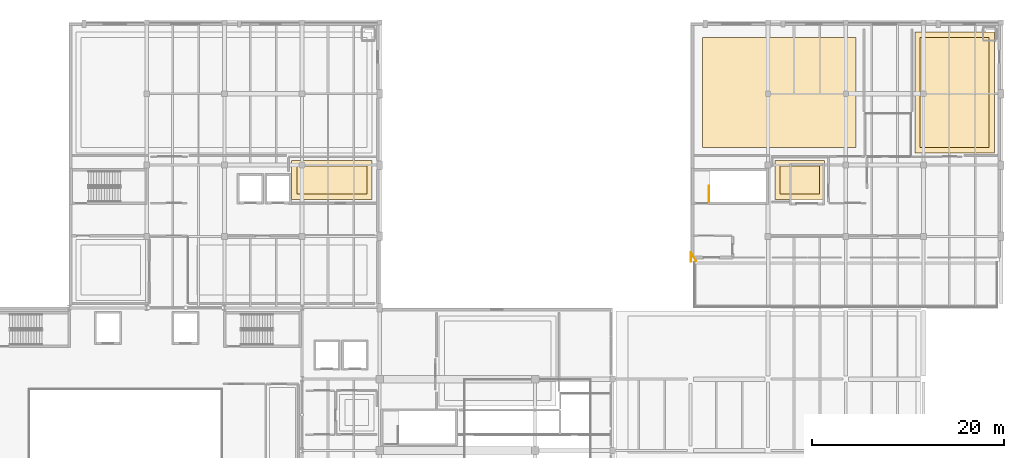
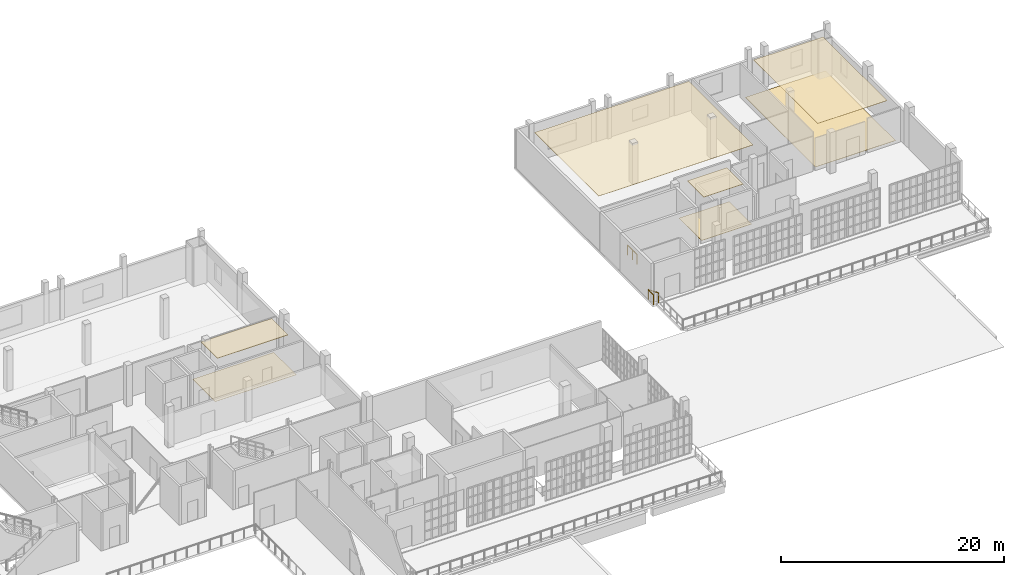
# One storey, part 56 of 56: 7 coverings, 2 railings.
"""IFC4 building model written with IfcOpenShell, lengths in metres."""

from ifc_helpers import new_model, si_unit, direction, frame, origin, origin_2d, place, context, subcontext, project, spatial, polyline, circle, outline, extrude, material, layer, layer_set, type_object, element, save


model = new_model("IFC4")

# Units and contexts
model_context = context("Model", 3, precision=1e-05, world=origin(), true_north=direction((0.0, 1.0)))
body_context = subcontext(model_context, "Body", "Model", "MODEL_VIEW")
ifc_project = project(units=[si_unit("LENGTHUNIT", "METRE"), si_unit("AREAUNIT", "SQUARE_METRE"), si_unit("VOLUMEUNIT", "CUBIC_METRE"), si_unit("PLANEANGLEUNIT", "RADIAN"), si_unit("MASSUNIT", "GRAM", prefix="KILO")], contexts=[model_context])

# Site, building, storey
site_placement = place(None, origin())
site = spatial("IfcSite", under=ifc_project, at=site_placement, CompositionType="ELEMENT")
building_placement = place(site_placement, origin())
building = spatial("IfcBuilding", under=site, at=building_placement, Name="Kaelora Sail Theatre", CompositionType="ELEMENT")
storey_placement = place(building_placement, frame((0.0, 0.0, 14.699951171875)))
storey = spatial("IfcBuildingStorey", under=building, at=storey_placement, Name="L03", CompositionType="ELEMENT", Elevation=14.699951171875)

# Coverings
ifc_material_1 = material(Name="Micro-perforated timber acoustic reflector", Category="wood")
ifc_layer_1 = layer(ifc_material_1, 0.050048828125)
ifc_layer_set_1 = layer_set([ifc_layer_1], Name="Micro-perforated timber acoustic reflector")
covering_type_1 = type_object("IfcCoveringType", Name="ARC-COV-CLG-AC-50", PredefinedType="CEILING", material=ifc_layer_set_1)
covering_1_placement = place(storey_placement, frame((0.0, 0.0, 4.2099609375)))
element("IfcCovering", 1, at=covering_1_placement, inside=storey, type_object=covering_type_1, Name="Acoustic ceiling L03-CHOREO-2", PredefinedType="CEILING", context=body_context, shape_type="SweptSolid", body=[
    extrude(outline(polyline([(57.64990234375, 95.199951171875), (64.949951171875, 95.199951171875), (64.949951171875, 98.14990234375), (57.64990234375, 98.14990234375), (57.64990234375, 95.199951171875)])), origin(), (0.0, 0.0, 1.0), 0.050048828125),
])
ifc_material_2 = material(Name="Suspended acoustic mineral-fibre ceiling", Category="gypsum")
ifc_layer_2 = layer(ifc_material_2, 0.034912109375)
ifc_layer_set_2 = layer_set([ifc_layer_2], Name="Suspended acoustic mineral-fibre ceiling")
covering_type_2 = type_object("IfcCoveringType", Name="ARC-COV-CLG-GYP-35", PredefinedType="CEILING", material=ifc_layer_set_2)
covering_2_placement = place(storey_placement, frame((0.0, 0.0, 4.22998046875)))
element("IfcCovering", 2, at=covering_2_placement, inside=storey, type_object=covering_type_2, Name="Acoustic ceiling L03-ARCHIVE-RD", PredefinedType="CEILING", context=body_context, shape_type="SweptSolid", body=[
    extrude(outline(polyline([(108.050048828125, 95.199951171875), (112.14990234375, 95.199951171875), (112.14990234375, 98.14990234375), (108.050048828125, 98.14990234375), (108.050048828125, 95.199951171875)])), origin(), (0.0, 0.0, 1.0), 0.03515625),
])
covering_3_placement = place(storey_placement, frame((0.0, 0.0, 4.22998046875)))
element("IfcCovering", 3, at=covering_3_placement, inside=storey, type_object=covering_type_2, Name="Acoustic ceiling L03-LIBRARY", PredefinedType="CEILING", context=body_context, shape_type="SweptSolid", body=[
    extrude(outline(polyline([(99.949951171875, 100.050048828125), (115.949951171875, 100.050048828125), (115.949951171875, 111.550048828125), (99.949951171875, 111.550048828125), (99.949951171875, 100.050048828125)])), origin(), (0.0, 0.0, 1.0), 0.03515625),
])
covering_4_placement = place(storey_placement, frame((0.0, 0.0, 4.22998046875)))
element("IfcCovering", 4, at=covering_4_placement, inside=storey, type_object=covering_type_2, Name="Acoustic ceiling L03-PHYSIO", PredefinedType="CEILING", context=body_context, shape_type="SweptSolid", body=[
    extrude(outline(polyline([(122.64990234375, 100.050048828125), (129.85009765625, 100.050048828125), (129.85009765625, 111.550048828125), (122.64990234375, 111.550048828125), (122.64990234375, 100.050048828125)])), origin(), (0.0, 0.0, 1.0), 0.03515625),
])
ifc_material_3 = material(Name="Sprung West African iroko stage and dance floor", Category="timber")
ifc_layer_3 = layer(ifc_material_3, 0.028076171875)
ifc_layer_set_3 = layer_set([ifc_layer_3], Name="Sprung West African iroko stage and dance floor")
covering_type_3 = type_object("IfcCoveringType", Name="ARC-COV-FLR-OAK-28", PredefinedType="FLOORING", material=ifc_layer_set_3)
covering_5_placement = place(storey_placement, origin())
element("IfcCovering", 5, at=covering_5_placement, inside=storey, type_object=covering_type_3, Name="Architectural flooring L03-CHOREO-2", PredefinedType="FLOORING", context=body_context, shape_type="SweptSolid", body=[
    extrude(outline(polyline([(57.10009765625, 94.64990234375), (65.5, 94.64990234375), (65.5, 98.699951171875), (57.10009765625, 98.699951171875), (57.10009765625, 94.64990234375)])), origin(), (0.0, 0.0, 1.0), 0.028076171875),
])
covering_6_placement = place(storey_placement, origin())
element("IfcCovering", 6, at=covering_6_placement, inside=storey, type_object=covering_type_3, Name="Architectural flooring L03-ARCHIVE-RD", PredefinedType="FLOORING", context=body_context, shape_type="SweptSolid", body=[
    extrude(outline(polyline([(107.5, 94.64990234375), (112.699951171875, 94.64990234375), (112.699951171875, 98.699951171875), (107.5, 98.699951171875), (107.5, 94.64990234375)])), origin(), (0.0, 0.0, 1.0), 0.028076171875),
])
covering_7_placement = place(storey_placement, origin())
element("IfcCovering", 7, at=covering_7_placement, inside=storey, type_object=covering_type_3, Name="Architectural flooring L03-PHYSIO", PredefinedType="FLOORING", context=body_context, shape_type="SweptSolid", body=[
    extrude(outline(polyline([(122.10009765625, 99.5), (130.39990234375, 99.5), (130.39990234375, 112.10009765625), (122.10009765625, 112.10009765625), (122.10009765625, 99.5)])), origin(), (0.0, 0.0, 1.0), 0.028076171875),
])

# Railings
ifc_material_4 = material(Name="Painted steel and laminated safety glass guard", Category="steel")
railing_type = type_object("IfcRailingType", Name="ARC-RL-GRD", PredefinedType="GUARDRAIL", material=ifc_material_4)
railing_1_placement = place(storey_placement, frame((100.64990234375, 94.35009765625, 0.0)))
element("IfcRailing", 8, at=railing_1_placement, inside=storey, type_object=railing_type, Name="L03 ST-K4 top well guard 1", PredefinedType="GUARDRAIL", context=body_context, shape_type="SweptSolid", body=[
    extrude(circle(Radius=0.02392578125, at=origin_2d()), frame((0.0, 0.0, 1.076171875), z_axis=(0.0, 1.0, 0.0), x_axis=(-1.0, 0.0, 0.0)), (0.0, 0.0, 1.0), 1.699951171875),
    extrude(circle(Radius=0.02099609375, at=origin_2d()), origin(), (0.0, 0.0, 1.0), 1.052001953125),
    extrude(circle(Radius=0.02099609375, at=origin_2d()), frame((0.0, 0.85009765625, 0.0)), (0.0, 0.0, 1.0), 1.052001953125),
    extrude(circle(Radius=0.02099609375, at=origin_2d()), frame((0.0, 1.699951171875, 0.0)), (0.0, 0.0, 1.0), 1.052001953125),
])
railing_2_placement = place(storey_placement, frame((98.764892578125, 88.159912109375, 0.0)))
element("IfcRailing", 9, at=railing_2_placement, inside=storey, type_object=railing_type, Name="Interior deck-edge closure guard GRD-DECK-NW4-W", PredefinedType="GUARDRAIL", context=body_context, shape_type="SweptSolid", body=[
    extrude(circle(Radius=0.02392578125, at=origin_2d()), frame((0.0, 0.0, 1.076171875), z_axis=(0.0, 1.0, 0.0), x_axis=(-1.0, 0.0, 0.0)), (0.0, 0.0, 1.0), 0.940185546875),
    extrude(circle(Radius=0.02392578125, at=origin_2d()), frame((0.0, 0.940185546875, 1.076171875), z_axis=(0.513186849624, -0.858276911826, 0.0), x_axis=(0.858276911826, 0.513186849624, 0.0)), (0.0, 0.0, 1.0), 1.042724609375),
    extrude(circle(Radius=0.02099609375, at=origin_2d()), origin(), (0.0, 0.0, 1.0), 1.052001953125),
    extrude(circle(Radius=0.02099609375, at=origin_2d()), frame((0.0, 0.940185546875, 0.0)), (0.0, 0.0, 1.0), 1.052001953125),
    extrude(circle(Radius=0.02099609375, at=origin_2d()), frame((0.53515625, 0.045166015625, 0.0)), (0.0, 0.0, 1.0), 1.052001953125),
])

save(model, "model.ifc")
